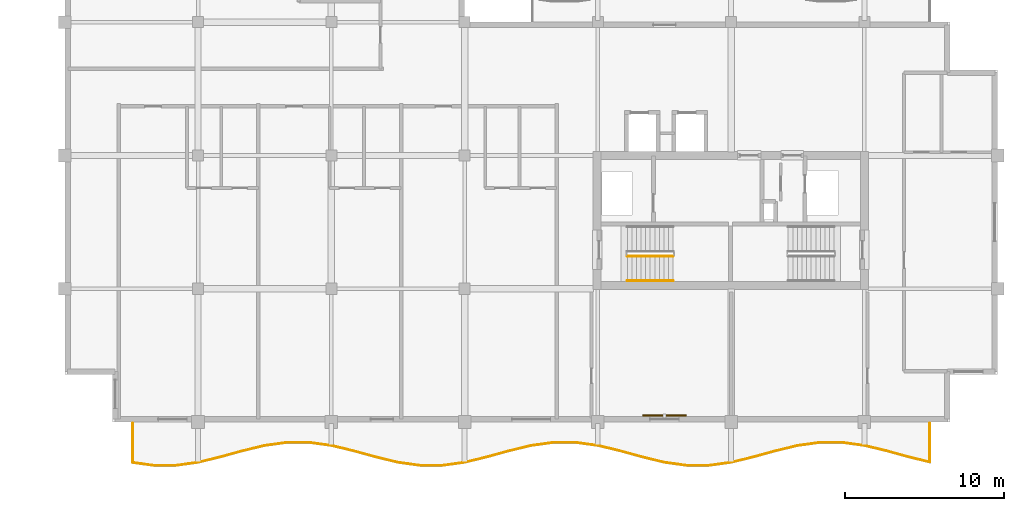
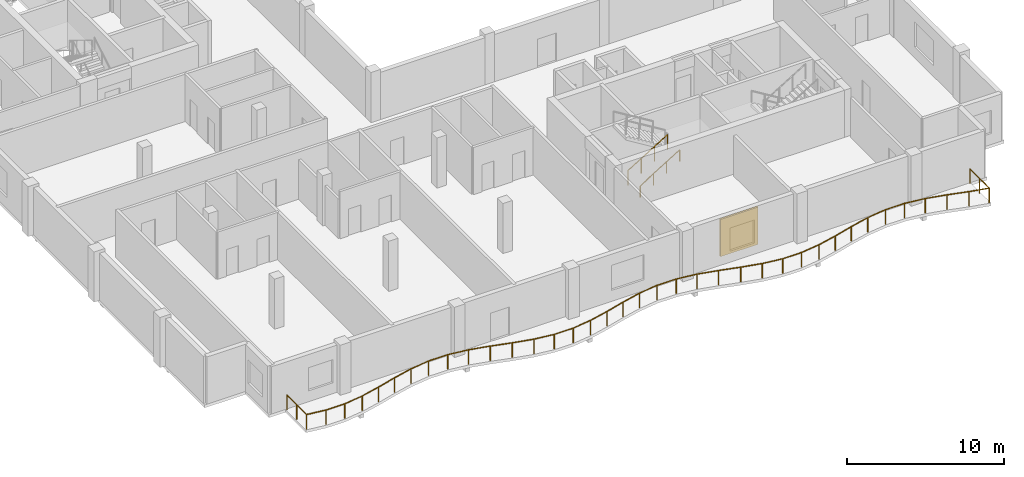
# One storey, part 8 of 10: 3 railings, 1 shading device.
"""IFC4 building model written with IfcOpenShell, lengths in metres."""

import ifcopenshell
import ifcopenshell.guid

model = None  # the IFC model being written
_history = None  # IfcOwnerHistory: only IFC2X3 demands one
_inside = {}  # id of a spatial element -> (the spatial element, [elements in it])
_under = {}  # id of a project, library or spatial element -> (it, [spatial elements below it])
_declared = {}  # id of a project -> (the project, [libraries it declares])
_typed = {}  # id of a type object -> (the type object, [elements of that type])
_made_of = {}  # id of a material, layer set ... -> (it, [elements and type objects made of it])


def new_model(schema):
    """Start an empty IFC model of exactly this schema.

    Asked for "IFC4X3", IfcOpenShell would pick the latest addendum, in which some entities
    have other attributes; the version numbers below select the first issue.
    IFC2X3 requires an IfcOwnerHistory on every rooted entity: one is made here for all.
    """
    global model, _history
    if schema == "IFC4X3":
        model = ifcopenshell.file(schema_version=(4, 3, 0, 0))
    else:
        model = ifcopenshell.file(schema=schema)
    _inside.clear()
    _under.clear()
    _declared.clear()
    _typed.clear()
    _made_of.clear()
    _history = None
    if model.schema == "IFC2X3":
        org = make("IfcOrganization", Name="unknown")
        user = make(
            "IfcPersonAndOrganization",
            ThePerson=make("IfcPerson", FamilyName="unknown"),
            TheOrganization=org,
        )
        app = make(
            "IfcApplication",
            ApplicationDeveloper=org,
            Version="unknown",
            ApplicationFullName="unknown",
            ApplicationIdentifier="unknown",
        )
        _history = make(
            "IfcOwnerHistory",
            OwningUser=user,
            OwningApplication=app,
            ChangeAction="ADDED",
            CreationDate=0,
        )
    return model


def make(cls, **values):
    """One entity of the class cls with the attributes given. An attribute that is None is left unset."""
    return model.create_entity(
        cls, **{name: value for name, value in values.items() if value is not None}
    )


def rooted(cls, **values):
    """An entity with a GlobalId (a new one), such as an element, a storey or a relation."""
    return make(cls, GlobalId=ifcopenshell.guid.new(), OwnerHistory=_history, **values)


def si_unit(unit_type, name, prefix=None):
    """IfcSIUnit, for example si_unit("LENGTHUNIT", "METRE", prefix="MILLI")."""
    return make("IfcSIUnit", UnitType=unit_type, Prefix=prefix, Name=name)


def assignment(units):
    """IfcUnitAssignment: the units of a project."""
    return None if units is None else make("IfcUnitAssignment", Units=units)


def point(xyz):
    """IfcCartesianPoint."""
    return None if xyz is None else make("IfcCartesianPoint", Coordinates=xyz)


def direction(xyz):
    """IfcDirection."""
    return None if xyz is None else make("IfcDirection", DirectionRatios=xyz)


def frame(location, z_axis=None, x_axis=None):
    """IfcAxis2Placement3D, a coordinate frame: its origin and axes. An axis left out is left unset."""
    return make(
        "IfcAxis2Placement3D",
        Location=point(location),
        Axis=direction(z_axis),
        RefDirection=direction(x_axis),
    )


def frame_2d(location, x_axis=None):
    """IfcAxis2Placement2D, a coordinate frame in the plane: its origin and x axis."""
    return make(
        "IfcAxis2Placement2D", Location=point(location), RefDirection=direction(x_axis)
    )


def origin():
    """The frame at (0, 0, 0) with its axes left unset."""
    return frame((0.0, 0.0, 0.0))


def origin_2d():
    """The frame at (0, 0) in the plane with its x axis left unset."""
    return frame_2d((0.0, 0.0))


def place(relative_to, where):
    """IfcLocalPlacement: puts the frame where relative to a parent placement (None: the world)."""
    return make(
        "IfcLocalPlacement", PlacementRelTo=relative_to, RelativePlacement=where
    )


def context(
    kind, dimensions, precision=None, world=None, true_north=None, identifier=None
):
    """IfcGeometricRepresentationContext, for example the 3D "Model" context."""
    return make(
        "IfcGeometricRepresentationContext",
        ContextIdentifier=identifier,
        ContextType=kind,
        CoordinateSpaceDimension=dimensions,
        Precision=precision,
        WorldCoordinateSystem=world,
        TrueNorth=true_north,
    )


def subcontext(parent, identifier, kind, view, scale=None):
    """IfcGeometricRepresentationSubContext, for example "Body" below "Model"."""
    return make(
        "IfcGeometricRepresentationSubContext",
        ContextIdentifier=identifier,
        ContextType=kind,
        ParentContext=parent,
        TargetScale=scale,
        TargetView=view,
    )


def project(units=None, contexts=None):
    """IfcProject with its units and contexts."""
    return rooted(
        "IfcProject",
        Name="project",
        RepresentationContexts=contexts,
        UnitsInContext=assignment(units),
    )


def spatial(cls, under=None, at=None, **own):
    """A site, building, storey or space (cls), placed at a placement, below another one or the project."""
    s = rooted(cls, ObjectPlacement=at, **own)
    if under is not None:
        _under.setdefault(under.id(), (under, []))[1].append(s)
    return s


def profile(cls, at=None, kind="AREA", **sizes):
    """A parametric profile (cls). Its sizes go by their IFC names, for example OverallWidth=200.0."""
    return make(cls, ProfileType=kind, Position=at, **sizes)


def rectangle(**sizes):
    """IfcRectangleProfileDef."""
    return profile("IfcRectangleProfileDef", **sizes)


def circle(**sizes):
    """IfcCircleProfileDef."""
    return profile("IfcCircleProfileDef", **sizes)


def extrude(swept, where, along, depth):
    """IfcExtrudedAreaSolid: the profile swept, set in the frame where, extruded along a direction by depth."""
    return make(
        "IfcExtrudedAreaSolid",
        SweptArea=swept,
        Position=where,
        ExtrudedDirection=direction(along),
        Depth=depth,
    )


def shape(context_of_items, identifier, shape_type, items):
    """IfcShapeRepresentation: the items that make up one representation, for example the "Body"."""
    return make(
        "IfcShapeRepresentation",
        ContextOfItems=context_of_items,
        RepresentationIdentifier=identifier,
        RepresentationType=shape_type,
        Items=items,
    )


def material(Name=None, Category=None):
    """IfcMaterial."""
    return make("IfcMaterial", Name=Name, Category=Category)


def layer(
    of_material, thickness, ventilated=None, Name=None, Category=None, Priority=None
):
    """IfcMaterialLayer: one layer of a wall or slab, of a material (None: an air gap)."""
    return make(
        "IfcMaterialLayer",
        Material=of_material,
        LayerThickness=thickness,
        IsVentilated=ventilated,
        Name=Name,
        Category=Category,
        Priority=Priority,
    )


def layer_set(layers, Name=None):
    """IfcMaterialLayerSet."""
    return make("IfcMaterialLayerSet", MaterialLayers=layers, LayerSetName=Name)


def made_of(thing, what):
    """Note that an element or type object is made of a material, layer set ...; save() writes the relation."""
    if what is not None:
        _made_of.setdefault(what.id(), (what, []))[1].append(thing)
    return thing


def type_object(cls, material=None, **own):
    """A type object (cls), such as IfcWallType, which elements share."""
    return made_of(rooted(cls, **own), material)


def element(
    cls,
    number,
    at=None,
    inside=None,
    cuts=None,
    type_object=None,
    material=None,
    context=None,
    identifier="Body",
    shape_type=None,
    held_by="IfcProductDefinitionShape",
    body=None,
    shapes=None,
    **own,
):
    """One element of the class cls, such as IfcWall. Its Tag is "e" and its number.

    at: its placement. inside: the storey or other place that contains it. cuts: it is an
    opening in that element (IfcRelVoidsElement). A single representation is given by context,
    identifier, shape_type and body (its items); several are given by shapes. held_by: the class
    of the entity that holds the representations. save() writes the other relations.
    """
    e = rooted(cls, Tag="e%d" % number, ObjectPlacement=at, **own)
    if body is not None:
        shapes = [shape(context, identifier, shape_type, body)]
    if shapes is not None:
        e.Representation = make(held_by, Representations=shapes)
    if inside is not None:
        _inside.setdefault(inside.id(), (inside, []))[1].append(e)
    if cuts is not None:
        rooted(
            "IfcRelVoidsElement", RelatingBuildingElement=cuts, RelatedOpeningElement=e
        )
    if type_object is not None:
        _typed.setdefault(type_object.id(), (type_object, []))[1].append(e)
    return made_of(e, material)


def aggregate(whole, parts):
    """IfcRelAggregates: a whole, such as a stair, and the parts it consists of."""
    return rooted("IfcRelAggregates", RelatingObject=whole, RelatedObjects=parts)


def save(model, path):
    """Write the relations noted so far, then the file.

    IfcRelAggregates (storeys below a building ...), IfcRelContainedInSpatialStructure (elements
    in a storey), IfcRelDefinesByType, IfcRelAssociatesMaterial and IfcRelDeclares: one each for
    every whole, place, type object, material and project.
    """
    for whole, parts in _under.values():
        aggregate(whole, parts)
    for where, things in _inside.values():
        rooted(
            "IfcRelContainedInSpatialStructure",
            RelatedElements=things,
            RelatingStructure=where,
        )
    for kind, things in _typed.values():
        rooted("IfcRelDefinesByType", RelatedObjects=things, RelatingType=kind)
    for what, things in _made_of.values():
        rooted("IfcRelAssociatesMaterial", RelatedObjects=things, RelatingMaterial=what)
    for by, libraries in _declared.values():
        rooted("IfcRelDeclares", RelatingContext=by, RelatedDefinitions=libraries)
    model.write(path)


model = new_model("IFC4")

# Units and contexts
model_context = context("Model", 3, precision=1e-05, world=origin(), true_north=direction((0.0, 1.0)))
body_context = subcontext(model_context, "Body", "Model", "MODEL_VIEW")
ifc_project = project(units=[si_unit("LENGTHUNIT", "METRE"), si_unit("AREAUNIT", "SQUARE_METRE"), si_unit("VOLUMEUNIT", "CUBIC_METRE"), si_unit("PLANEANGLEUNIT", "RADIAN"), si_unit("MASSUNIT", "GRAM", prefix="KILO")], contexts=[model_context])

# Site, building, storey
site_placement = place(None, origin())
site = spatial("IfcSite", under=ifc_project, at=site_placement, CompositionType="ELEMENT")
building_placement = place(site_placement, origin())
building = spatial("IfcBuilding", under=site, at=building_placement, Name="Koriwani Terraces Tower", CompositionType="ELEMENT")
storey_placement = place(building_placement, frame((0.0, 0.0, 304.699951171875)))
storey = spatial("IfcBuildingStorey", under=building, at=storey_placement, Name="L75", CompositionType="ELEMENT", Elevation=304.699951171875)

# Railings
ifc_material_1 = material(Name="Steel ASTM A572 Grade 50", Category="steel")
railing_type_1 = type_object("IfcRailingType", Name="GUARD_BALUSTRADE_1150", PredefinedType="BALUSTRADE", material=ifc_material_1)
railing_1_placement = place(storey_placement, frame((12.679931640625, 8.320068359375, 0.0)))
element("IfcRailing", 1, at=railing_1_placement, inside=storey, type_object=railing_type_1, Name="L75 Balcony Perimeter Safety Balustrade (S)", PredefinedType="BALUSTRADE", context=body_context, shape_type="SweptSolid", body=[
    extrude(circle(Radius=0.02392578125, at=origin_2d()), frame((0.0, 0.0, 1.1259765625), z_axis=(0.0, -1.0, 0.0), x_axis=(1.0, 0.0, 0.0)), (0.0, 0.0, 1.0), 2.480712890625),
    extrude(circle(Radius=0.02392578125, at=origin_2d()), frame((0.0, -2.480712890625, 1.1259765625), z_axis=(0.990521249999, -0.137359576657, 0.0), x_axis=(0.137359576657, 0.990521249999, 0.0)), (0.0, 0.0, 1.0), 1.33837890625),
    extrude(circle(Radius=0.02392578125, at=origin_2d()), frame((1.32568359375, -2.66455078125, 1.1259765625), z_axis=(1.0, 0.0, 0.0), x_axis=(0.0, 1.0, 0.0)), (0.0, 0.0, 1.0), 1.388916015625),
    extrude(circle(Radius=0.02392578125, at=origin_2d()), frame((2.714599609375, -2.66455078125, 1.1259765625), z_axis=(0.990518583157, 0.137378806302, 0.0), x_axis=(-0.137378806302, 0.990518583157, 0.0)), (0.0, 0.0, 1.0), 1.404052734375),
    extrude(circle(Radius=0.02392578125, at=origin_2d()), frame((4.105224609375, -2.4716796875, 1.1259765625), z_axis=(0.972353303141, 0.233514568862, 0.0), x_axis=(-0.233514568862, 0.972353303141, 0.0)), (0.0, 0.0, 1.0), 1.434326171875),
    extrude(circle(Radius=0.02392578125, at=origin_2d()), frame((5.5, -2.13671875, 1.1259765625), z_axis=(0.963650193341, 0.26716718525, 0.0), x_axis=(-0.26716718525, 0.963650193341, 0.0)), (0.0, 0.0, 1.0), 1.452880859375),
    extrude(circle(Radius=0.02392578125, at=origin_2d()), frame((6.900146484375, -1.74853515625, 1.1259765625), z_axis=(0.972394970075, 0.233340999769, 0.0), x_axis=(-0.233340999769, 0.972394970075, 0.0)), (0.0, 0.0, 1.0), 1.44482421875),
    extrude(circle(Radius=0.02392578125, at=origin_2d()), frame((8.30517578125, -1.411376953125, 1.1259765625), z_axis=(0.990534439774, 0.137264429555, 0.0), x_axis=(-0.137264429555, 0.990534439774, 0.0)), (0.0, 0.0, 1.0), 1.4228515625),
    extrude(circle(Radius=0.02392578125, at=origin_2d()), frame((9.714599609375, -1.216064453125, 1.1259765625), z_axis=(1.0, 0.0, 0.0), x_axis=(0.0, 1.0, 0.0)), (0.0, 0.0, 1.0), 1.410888671875),
    extrude(circle(Radius=0.02392578125, at=origin_2d()), frame((11.12548828125, -1.216064453125, 1.1259765625), z_axis=(0.990534439774, -0.137264429555, 0.0), x_axis=(0.137264429555, 0.990534439774, 0.0)), (0.0, 0.0, 1.0), 1.4228515625),
    extrude(circle(Radius=0.02392578125, at=origin_2d()), frame((12.534912109375, -1.411376953125, 1.1259765625), z_axis=(0.972404167631, -0.233302667738, 0.0), x_axis=(0.233302667738, 0.972404167631, 0.0)), (0.0, 0.0, 1.0), 1.445068359375),
    extrude(circle(Radius=0.02392578125, at=origin_2d()), frame((13.940185546875, -1.74853515625, 1.1259765625), z_axis=(0.963638196753, -0.267210452187, 0.0), x_axis=(0.267210452187, 0.963638196753, 0.0)), (0.0, 0.0, 1.0), 1.45263671875),
    extrude(circle(Radius=0.02392578125, at=origin_2d()), frame((15.340087890625, -2.13671875, 1.1259765625), z_axis=(0.972353303141, -0.233514568862, 0.0), x_axis=(0.233514568862, 0.972353303141, 0.0)), (0.0, 0.0, 1.0), 1.434326171875),
    extrude(circle(Radius=0.02392578125, at=origin_2d()), frame((16.73486328125, -2.4716796875, 1.1259765625), z_axis=(0.990518583157, -0.137378806302, 0.0), x_axis=(0.137378806302, 0.990518583157, 0.0)), (0.0, 0.0, 1.0), 1.404052734375),
    extrude(circle(Radius=0.02392578125, at=origin_2d()), frame((18.12548828125, -2.66455078125, 1.1259765625), z_axis=(1.0, 0.0, 0.0), x_axis=(0.0, 1.0, 0.0)), (0.0, 0.0, 1.0), 1.38916015625),
    extrude(circle(Radius=0.02392578125, at=origin_2d()), frame((19.5146484375, -2.66455078125, 1.1259765625), z_axis=(0.990518583157, 0.137378806302, 0.0), x_axis=(-0.137378806302, 0.990518583157, 0.0)), (0.0, 0.0, 1.0), 1.404052734375),
    extrude(circle(Radius=0.02392578125, at=origin_2d()), frame((20.9052734375, -2.4716796875, 1.1259765625), z_axis=(0.972353303141, 0.233514568862, 0.0), x_axis=(-0.233514568862, 0.972353303141, 0.0)), (0.0, 0.0, 1.0), 1.434326171875),
    extrude(circle(Radius=0.02392578125, at=origin_2d()), frame((22.300048828125, -2.13671875, 1.1259765625), z_axis=(0.963638196753, 0.267210452187, 0.0), x_axis=(-0.267210452187, 0.963638196753, 0.0)), (0.0, 0.0, 1.0), 1.45263671875),
    extrude(circle(Radius=0.02392578125, at=origin_2d()), frame((23.699951171875, -1.74853515625, 1.1259765625), z_axis=(0.972404167631, 0.233302667738, 0.0), x_axis=(-0.233302667738, 0.972404167631, 0.0)), (0.0, 0.0, 1.0), 1.445068359375),
    extrude(circle(Radius=0.02392578125, at=origin_2d()), frame((25.105224609375, -1.411376953125, 1.1259765625), z_axis=(0.990534439774, 0.137264429555, 0.0), x_axis=(-0.137264429555, 0.990534439774, 0.0)), (0.0, 0.0, 1.0), 1.4228515625),
    extrude(circle(Radius=0.02392578125, at=origin_2d()), frame((26.5146484375, -1.216064453125, 1.1259765625), z_axis=(1.0, 0.0, 0.0), x_axis=(0.0, 1.0, 0.0)), (0.0, 0.0, 1.0), 1.410888671875),
    extrude(circle(Radius=0.02392578125, at=origin_2d()), frame((27.925537109375, -1.216064453125, 1.1259765625), z_axis=(0.990534439774, -0.137264429555, 0.0), x_axis=(0.137264429555, 0.990534439774, 0.0)), (0.0, 0.0, 1.0), 1.4228515625),
    extrude(circle(Radius=0.02392578125, at=origin_2d()), frame((29.3349609375, -1.411376953125, 1.1259765625), z_axis=(0.972394970075, -0.233340999769, 0.0), x_axis=(0.233340999769, 0.972394970075, 0.0)), (0.0, 0.0, 1.0), 1.44482421875),
    extrude(circle(Radius=0.02392578125, at=origin_2d()), frame((30.739990234375, -1.74853515625, 1.1259765625), z_axis=(0.963650193341, -0.26716718525, 0.0), x_axis=(0.26716718525, 0.963650193341, 0.0)), (0.0, 0.0, 1.0), 1.452880859375),
    extrude(circle(Radius=0.02392578125, at=origin_2d()), frame((32.14013671875, -2.13671875, 1.1259765625), z_axis=(0.972353303141, -0.233514568862, 0.0), x_axis=(0.233514568862, 0.972353303141, 0.0)), (0.0, 0.0, 1.0), 1.434326171875),
    extrude(circle(Radius=0.02392578125, at=origin_2d()), frame((33.534912109375, -2.4716796875, 1.1259765625), z_axis=(0.990518583157, -0.137378806302, 0.0), x_axis=(0.137378806302, 0.990518583157, 0.0)), (0.0, 0.0, 1.0), 1.404052734375),
    extrude(circle(Radius=0.02392578125, at=origin_2d()), frame((34.925537109375, -2.66455078125, 1.1259765625), z_axis=(1.0, 0.0, 0.0), x_axis=(0.0, 1.0, 0.0)), (0.0, 0.0, 1.0), 1.388916015625),
    extrude(circle(Radius=0.02392578125, at=origin_2d()), frame((36.314453125, -2.66455078125, 1.1259765625), z_axis=(0.990518583157, 0.137378806302, 0.0), x_axis=(-0.137378806302, 0.990518583157, 0.0)), (0.0, 0.0, 1.0), 1.404052734375),
    extrude(circle(Radius=0.02392578125, at=origin_2d()), frame((37.705078125, -2.4716796875, 1.1259765625), z_axis=(0.972362581689, 0.23347592966, 0.0), x_axis=(-0.23347592966, 0.972362581689, 0.0)), (0.0, 0.0, 1.0), 1.4345703125),
    extrude(circle(Radius=0.02392578125, at=origin_2d()), frame((39.10009765625, -2.13671875, 1.1259765625), z_axis=(0.963638196753, 0.267210452187, 0.0), x_axis=(-0.267210452187, 0.963638196753, 0.0)), (0.0, 0.0, 1.0), 1.45263671875),
    extrude(circle(Radius=0.02392578125, at=origin_2d()), frame((40.5, -1.74853515625, 1.1259765625), z_axis=(0.972404167631, 0.233302667738, 0.0), x_axis=(-0.233302667738, 0.972404167631, 0.0)), (0.0, 0.0, 1.0), 1.445068359375),
    extrude(circle(Radius=0.02392578125, at=origin_2d()), frame((41.9052734375, -1.411376953125, 1.1259765625), z_axis=(0.990531206111, 0.137287762455, 0.0), x_axis=(-0.137287762455, 0.990531206111, 0.0)), (0.0, 0.0, 1.0), 1.422607421875),
    extrude(circle(Radius=0.02392578125, at=origin_2d()), frame((43.314453125, -1.216064453125, 1.1259765625), z_axis=(1.0, 0.0, 0.0), x_axis=(0.0, 1.0, 0.0)), (0.0, 0.0, 1.0), 1.4111328125),
    extrude(circle(Radius=0.02392578125, at=origin_2d()), frame((44.7255859375, -1.216064453125, 1.1259765625), z_axis=(0.990531206111, -0.137287762455, 0.0), x_axis=(0.137287762455, 0.990531206111, 0.0)), (0.0, 0.0, 1.0), 1.422607421875),
    extrude(circle(Radius=0.02392578125, at=origin_2d()), frame((46.134765625, -1.411376953125, 1.1259765625), z_axis=(0.972404167631, -0.233302667738, 0.0), x_axis=(0.233302667738, 0.972404167631, 0.0)), (0.0, 0.0, 1.0), 1.445068359375),
    extrude(circle(Radius=0.02392578125, at=origin_2d()), frame((47.5400390625, -1.74853515625, 1.1259765625), z_axis=(0.963650193341, -0.26716718525, 0.0), x_axis=(0.26716718525, 0.963650193341, 0.0)), (0.0, 0.0, 1.0), 1.452880859375),
    extrude(circle(Radius=0.02392578125, at=origin_2d()), frame((48.940185546875, -2.13671875, 1.1259765625), z_axis=(0.972335887086, -0.233587077307, 0.0), x_axis=(0.233587077307, 0.972335887086, 0.0)), (0.0, 0.0, 1.0), 1.336669921875),
    extrude(circle(Radius=0.02392578125, at=origin_2d()), frame((50.239990234375, -2.448974609375, 1.1259765625), z_axis=(0.0, 1.0, 0.0), x_axis=(-1.0, 0.0, 0.0)), (0.0, 0.0, 1.0), 2.448974609375),
    extrude(circle(Radius=0.02099609375, at=origin_2d()), origin(), (0.0, 0.0, 1.0), 1.101806640625),
    extrude(circle(Radius=0.02099609375, at=origin_2d()), frame((0.0, -1.240234375, 0.0)), (0.0, 0.0, 1.0), 1.101806640625),
    extrude(circle(Radius=0.02099609375, at=origin_2d()), frame((0.0, -2.480712890625, 0.0)), (0.0, 0.0, 1.0), 1.101806640625),
    extrude(circle(Radius=0.02099609375, at=origin_2d()), frame((1.32568359375, -2.66455078125, 0.0)), (0.0, 0.0, 1.0), 1.101806640625),
    extrude(circle(Radius=0.02099609375, at=origin_2d()), frame((2.714599609375, -2.66455078125, 0.0)), (0.0, 0.0, 1.0), 1.101806640625),
    extrude(circle(Radius=0.02099609375, at=origin_2d()), frame((4.105224609375, -2.4716796875, 0.0)), (0.0, 0.0, 1.0), 1.101806640625),
    extrude(circle(Radius=0.02099609375, at=origin_2d()), frame((5.5, -2.13671875, 0.0)), (0.0, 0.0, 1.0), 1.101806640625),
    extrude(circle(Radius=0.02099609375, at=origin_2d()), frame((6.900146484375, -1.74853515625, 0.0)), (0.0, 0.0, 1.0), 1.101806640625),
    extrude(circle(Radius=0.02099609375, at=origin_2d()), frame((8.30517578125, -1.411376953125, 0.0)), (0.0, 0.0, 1.0), 1.101806640625),
    extrude(circle(Radius=0.02099609375, at=origin_2d()), frame((9.714599609375, -1.216064453125, 0.0)), (0.0, 0.0, 1.0), 1.101806640625),
    extrude(circle(Radius=0.02099609375, at=origin_2d()), frame((11.12548828125, -1.216064453125, 0.0)), (0.0, 0.0, 1.0), 1.101806640625),
    extrude(circle(Radius=0.02099609375, at=origin_2d()), frame((12.534912109375, -1.411376953125, 0.0)), (0.0, 0.0, 1.0), 1.101806640625),
    extrude(circle(Radius=0.02099609375, at=origin_2d()), frame((13.940185546875, -1.74853515625, 0.0)), (0.0, 0.0, 1.0), 1.101806640625),
    extrude(circle(Radius=0.02099609375, at=origin_2d()), frame((15.340087890625, -2.13671875, 0.0)), (0.0, 0.0, 1.0), 1.101806640625),
    extrude(circle(Radius=0.02099609375, at=origin_2d()), frame((16.73486328125, -2.4716796875, 0.0)), (0.0, 0.0, 1.0), 1.101806640625),
    extrude(circle(Radius=0.02099609375, at=origin_2d()), frame((18.12548828125, -2.66455078125, 0.0)), (0.0, 0.0, 1.0), 1.101806640625),
    extrude(circle(Radius=0.02099609375, at=origin_2d()), frame((19.5146484375, -2.66455078125, 0.0)), (0.0, 0.0, 1.0), 1.101806640625),
    extrude(circle(Radius=0.02099609375, at=origin_2d()), frame((20.9052734375, -2.4716796875, 0.0)), (0.0, 0.0, 1.0), 1.101806640625),
    extrude(circle(Radius=0.02099609375, at=origin_2d()), frame((22.300048828125, -2.13671875, 0.0)), (0.0, 0.0, 1.0), 1.101806640625),
    extrude(circle(Radius=0.02099609375, at=origin_2d()), frame((23.699951171875, -1.74853515625, 0.0)), (0.0, 0.0, 1.0), 1.101806640625),
    extrude(circle(Radius=0.02099609375, at=origin_2d()), frame((25.105224609375, -1.411376953125, 0.0)), (0.0, 0.0, 1.0), 1.101806640625),
    extrude(circle(Radius=0.02099609375, at=origin_2d()), frame((26.5146484375, -1.216064453125, 0.0)), (0.0, 0.0, 1.0), 1.101806640625),
    extrude(circle(Radius=0.02099609375, at=origin_2d()), frame((27.925537109375, -1.216064453125, 0.0)), (0.0, 0.0, 1.0), 1.101806640625),
    extrude(circle(Radius=0.02099609375, at=origin_2d()), frame((29.3349609375, -1.411376953125, 0.0)), (0.0, 0.0, 1.0), 1.101806640625),
    extrude(circle(Radius=0.02099609375, at=origin_2d()), frame((30.739990234375, -1.74853515625, 0.0)), (0.0, 0.0, 1.0), 1.101806640625),
    extrude(circle(Radius=0.02099609375, at=origin_2d()), frame((32.14013671875, -2.13671875, 0.0)), (0.0, 0.0, 1.0), 1.101806640625),
    extrude(circle(Radius=0.02099609375, at=origin_2d()), frame((33.534912109375, -2.4716796875, 0.0)), (0.0, 0.0, 1.0), 1.101806640625),
    extrude(circle(Radius=0.02099609375, at=origin_2d()), frame((34.925537109375, -2.66455078125, 0.0)), (0.0, 0.0, 1.0), 1.101806640625),
    extrude(circle(Radius=0.02099609375, at=origin_2d()), frame((36.314453125, -2.66455078125, 0.0)), (0.0, 0.0, 1.0), 1.101806640625),
    extrude(circle(Radius=0.02099609375, at=origin_2d()), frame((37.705078125, -2.4716796875, 0.0)), (0.0, 0.0, 1.0), 1.101806640625),
    extrude(circle(Radius=0.02099609375, at=origin_2d()), frame((39.10009765625, -2.13671875, 0.0)), (0.0, 0.0, 1.0), 1.101806640625),
    extrude(circle(Radius=0.02099609375, at=origin_2d()), frame((40.5, -1.74853515625, 0.0)), (0.0, 0.0, 1.0), 1.101806640625),
    extrude(circle(Radius=0.02099609375, at=origin_2d()), frame((41.9052734375, -1.411376953125, 0.0)), (0.0, 0.0, 1.0), 1.101806640625),
    extrude(circle(Radius=0.02099609375, at=origin_2d()), frame((43.314453125, -1.216064453125, 0.0)), (0.0, 0.0, 1.0), 1.101806640625),
    extrude(circle(Radius=0.02099609375, at=origin_2d()), frame((44.7255859375, -1.216064453125, 0.0)), (0.0, 0.0, 1.0), 1.101806640625),
    extrude(circle(Radius=0.02099609375, at=origin_2d()), frame((46.134765625, -1.411376953125, 0.0)), (0.0, 0.0, 1.0), 1.101806640625),
    extrude(circle(Radius=0.02099609375, at=origin_2d()), frame((47.5400390625, -1.74853515625, 0.0)), (0.0, 0.0, 1.0), 1.101806640625),
    extrude(circle(Radius=0.02099609375, at=origin_2d()), frame((48.940185546875, -2.13671875, 0.0)), (0.0, 0.0, 1.0), 1.101806640625),
    extrude(circle(Radius=0.02099609375, at=origin_2d()), frame((50.239990234375, -2.448974609375, 0.0)), (0.0, 0.0, 1.0), 1.101806640625),
    extrude(circle(Radius=0.02099609375, at=origin_2d()), frame((50.239990234375, -1.224609375, 0.0)), (0.0, 0.0, 1.0), 1.101806640625),
    extrude(circle(Radius=0.02099609375, at=origin_2d()), frame((50.239990234375, 0.0, 0.0)), (0.0, 0.0, 1.0), 1.101806640625),
])
railing_type_2 = type_object("IfcRailingType", Name="GUARD_STAIR_WELL_1120", PredefinedType="GUARDRAIL", material=ifc_material_1)
railing_2_placement = place(storey_placement, frame((43.85009765625, 18.85009765625, 0.17724609375)))
element("IfcRailing", 2, at=railing_2_placement, inside=storey, type_object=railing_type_2, Name="L75 ST-E1 stair guard 1", PredefinedType="GUARDRAIL", context=body_context, shape_type="SweptSolid", body=[
    extrude(circle(Radius=0.02392578125, at=origin_2d()), frame((0.0, 0.0, 1.1259765625), z_axis=(0.853210801645, 0.0, 0.521566225858), x_axis=(0.0, 1.0, 0.0)), (0.0, 0.0, 1.0), 3.39892578125),
    extrude(circle(Radius=0.02099609375, at=origin_2d()), origin(), (0.0, 0.0, 1.0), 1.101806640625),
    extrude(circle(Radius=0.02099609375, at=origin_2d()), frame((0.966552734375, 0.0, 0.5908203125)), (0.0, 0.0, 1.0), 1.101806640625),
    extrude(circle(Radius=0.02099609375, at=origin_2d()), frame((1.933349609375, 0.0, 1.181884765625)), (0.0, 0.0, 1.0), 1.101806640625),
    extrude(circle(Radius=0.02099609375, at=origin_2d()), frame((2.89990234375, 0.0, 1.772705078125)), (0.0, 0.0, 1.0), 1.101806640625),
])
railing_type_3 = type_object("IfcRailingType", Name="HANDRAIL_STAIR_920", PredefinedType="HANDRAIL", material=ifc_material_1)
railing_3_placement = place(storey_placement, frame((43.85009765625, 17.300048828125, 0.17724609375)))
element("IfcRailing", 3, at=railing_3_placement, inside=storey, type_object=railing_type_3, Name="L75 ST-E1 stair handrail 1", PredefinedType="HANDRAIL", context=body_context, shape_type="SweptSolid", body=[
    extrude(circle(Radius=0.02392578125, at=origin_2d()), frame((0.0, 0.0, 0.8759765625), z_axis=(0.853210801645, 0.0, 0.521566225858), x_axis=(0.0, 1.0, 0.0)), (0.0, 0.0, 1.0), 3.39892578125),
    extrude(circle(Radius=0.02099609375, at=origin_2d()), origin(), (0.0, 0.0, 1.0), 0.851806640625),
    extrude(circle(Radius=0.02099609375, at=origin_2d()), frame((0.966552734375, 0.0, 0.5908203125)), (0.0, 0.0, 1.0), 0.851806640625),
    extrude(circle(Radius=0.02099609375, at=origin_2d()), frame((1.933349609375, 0.0, 1.181884765625)), (0.0, 0.0, 1.0), 0.851806640625),
    extrude(circle(Radius=0.02099609375, at=origin_2d()), frame((2.89990234375, 0.0, 1.772705078125)), (0.0, 0.0, 1.0), 0.851806640625),
])

# Shading device
ifc_material_2 = material(Name="Extruded Terracotta Clay", Category="masonry")
ifc_layer = layer(ifc_material_2, 0.1201171875, Name="Extruded Terracotta Clay")
ifc_layer_set = layer_set([ifc_layer], Name="Extruded Terracotta Clay")
shading_device_type = type_object("IfcShadingDeviceType", Name="TERRACOTTA_BAGUETTE_SCREEN_2800", PredefinedType="USERDEFINED", material=ifc_layer_set)
shading_device_placement = place(storey_placement, frame((46.199951171875, 8.804931640625, 0.385009765625), z_axis=(0.0, 0.0, 1.0), x_axis=(-1.0, 0.0, 0.0)))
element("IfcShadingDevice", 4, at=shading_device_placement, inside=storey, type_object=shading_device_type, Name="L75 Extruded Terracotta Baguette Screen (S-12)", ObjectType="BAGUETTE", PredefinedType="USERDEFINED", context=body_context, shape_type="SweptSolid", body=[
    extrude(rectangle(XDim=2.760009765625, YDim=0.1201171875, at=origin_2d()), origin(), (0.0, 0.0, 1.0), 2.89990234375),
])

save(model, "model.ifc")
